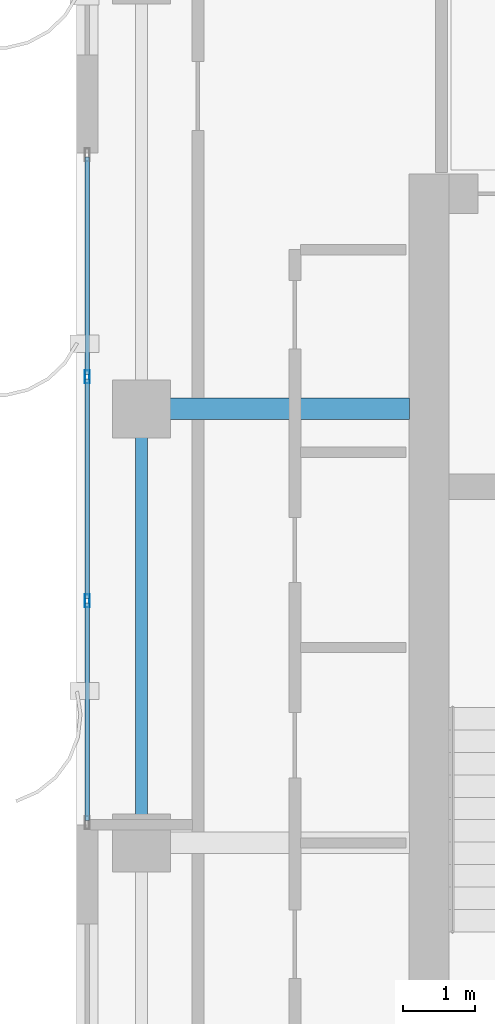
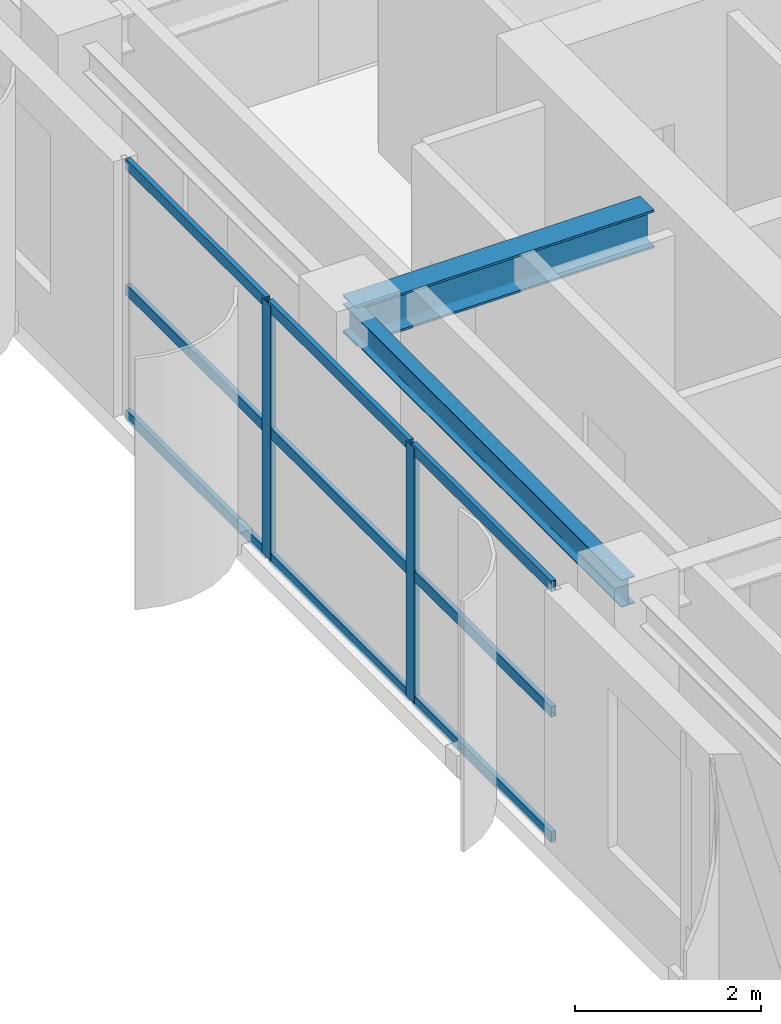
# One storey, part 6 of 24: 11 members, 2 beams, 1 element without a shape of its own.
"""IFC4 building model written with IfcOpenShell, lengths in metres."""

from ifc_helpers import new_model, si_unit, direction, frame, origin, origin_2d, place, context, subcontext, project, spatial, hollow_rectangle, i_section, extrude, source, transform, mapped, material, layer, layer_set, material_profile, profile_set, type_object, element, aggregate, save


model = new_model("IFC4")

# Units and contexts
model_context = context("Model", 3, precision=1e-05, world=origin(), true_north=direction((0.0, 1.0)))
body_context = subcontext(model_context, "Body", "Model", "MODEL_VIEW")
ifc_project = project(units=[si_unit("LENGTHUNIT", "METRE"), si_unit("AREAUNIT", "SQUARE_METRE"), si_unit("VOLUMEUNIT", "CUBIC_METRE"), si_unit("PLANEANGLEUNIT", "RADIAN"), si_unit("MASSUNIT", "GRAM", prefix="KILO")], contexts=[model_context])

# Site, building, storey
site_placement = place(None, origin())
site = spatial("IfcSite", under=ifc_project, at=site_placement, CompositionType="ELEMENT")
building_placement = place(site_placement, origin())
building = spatial("IfcBuilding", under=site, at=building_placement, Name="Khoralis Quay Care Tower", CompositionType="ELEMENT")
storey_placement = place(building_placement, frame((0.0, 0.0, 238.5)))
storey = spatial("IfcBuildingStorey", under=building, at=storey_placement, Name="L62", CompositionType="ELEMENT", Elevation=238.5)

# Beams
ifc_material_1 = material(Name="Steel S355", Category="steel")
ifc_material_profile_1 = material_profile(ifc_material_1, i_section(OverallWidth=0.169921875, OverallDepth=0.360107421875, WebThickness=0.008056640625, FlangeThickness=0.0126953125, FilletRadius=0.01806640625, at=origin_2d()), Name="Steel S355")
ifc_profile_set_1 = profile_set([ifc_material_profile_1], Name="Steel S355")
beam_type_1 = type_object("IfcBeamType", Name="BM-IPE360", PredefinedType="SPANDREL", material=ifc_profile_set_1)
shared_shape_1 = source(origin(), body_context, "Body", "SweptSolid", [
    extrude(i_section(OverallWidth=0.169921875, OverallDepth=0.360107421875, WebThickness=0.008056640625, FlangeThickness=0.0126953125, FilletRadius=0.01806640625, at=origin_2d()), origin(), (0.0, 0.0, 1.0), 6.0),
])
beam_1_placement = place(storey_placement, frame((3.89990234375, 18.0, 3.179931640625), z_axis=(0.0, 1.0, 0.0), x_axis=(-1.0, 0.0, 0.0)))
element("IfcBeam", 1, at=beam_1_placement, inside=storey, type_object=beam_type_1, Name="BM-TSP-L62-06", PredefinedType="SPANDREL", context=body_context, shape_type="MappedRepresentation", body=[
    mapped(shared_shape_1, transform((0.0, 0.0, 0.0), scale=1.0)),
])
ifc_material_profile_2 = material_profile(ifc_material_1, i_section(OverallWidth=0.300048828125, OverallDepth=0.5, WebThickness=0.014404296875, FlangeThickness=0.028076171875, FilletRadius=0.027099609375, at=origin_2d()), Name="Steel S355")
ifc_profile_set_2 = profile_set([ifc_material_profile_2], Name="Steel S355")
beam_type_2 = type_object("IfcBeamType", Name="BM-HEB500", PredefinedType="BEAM", material=ifc_profile_set_2)
shared_shape_2 = source(origin(), body_context, "Body", "SweptSolid", [
    extrude(i_section(OverallWidth=0.300048828125, OverallDepth=0.5, WebThickness=0.014404296875, FlangeThickness=0.028076171875, FilletRadius=0.027099609375, at=origin_2d()), origin(), (0.0, 0.0, 1.0), 3.7021484375),
])
beam_2_placement = place(storey_placement, frame((3.89990234375, 24.0, 3.110107421875), z_axis=(1.0, 0.0, 0.0), x_axis=(0.0, 1.0, 0.0)))
element("IfcBeam", 2, at=beam_2_placement, inside=storey, type_object=beam_type_2, Name="BM-TGXW-L62-240", PredefinedType="BEAM", context=body_context, shape_type="MappedRepresentation", body=[
    mapped(shared_shape_2, transform((0.0, 0.0, 0.0), scale=1.0)),
])

# Curtain wall, members
ifc_material_2 = material(Name="Pale anodised aluminium", Category="aluminium")
ifc_layer = layer(ifc_material_2, 0.159912109375)
ifc_layer_set = layer_set([ifc_layer], Name="Pale anodised aluminium")
curtain_wall_type = type_object("IfcCurtainWallType", Name="CW-SYS-Z3", PredefinedType="NOTDEFINED", material=ifc_layer_set)
curtain_wall_placement = place(storey_placement, origin())
curtain_wall = element("IfcCurtainWall", 3, at=curtain_wall_placement, inside=storey, type_object=curtain_wall_type, Name="L62 Unitised Curtain Wall CW-L62-P1-E7", PredefinedType="NOTDEFINED")
ifc_material_profile_3 = material_profile(ifc_material_2, hollow_rectangle(XDim=0.06494140625, YDim=0.179931640625, WallThickness=0.00390625, at=origin_2d()), Name="Pale anodised aluminium")
ifc_profile_set_3 = profile_set([ifc_material_profile_3], Name="Pale anodised aluminium")
member_type_1 = type_object("IfcMemberType", Name="CW-MUL-180", PredefinedType="MULLION", material=ifc_profile_set_3)
shared_shape_3 = source(origin(), body_context, "Body", "SweptSolid", [
    extrude(hollow_rectangle(XDim=0.06494140625, YDim=0.179931640625, WallThickness=0.00390625, at=origin_2d()), origin(), (0.0, 0.0, 1.0), 3.360107421875),
])
member_1_placement = place(storey_placement, frame((3.14990234375, 24.443359375, 0.0), z_axis=(0.0, 0.0, 1.0), x_axis=(1.0, 0.0, 0.0)))
member_1 = element("IfcMember", 4, at=member_1_placement, type_object=member_type_1, Name="CW3 mullion 2", PredefinedType="MULLION", context=body_context, shape_type="MappedRepresentation", body=[
    mapped(shared_shape_3, transform((0.0, 0.0, 0.0), scale=1.0)),
])
member_2_placement = place(storey_placement, frame((3.14990234375, 21.3466796875, 0.0), z_axis=(0.0, 0.0, 1.0), x_axis=(1.0, 0.0, 0.0)))
member_2 = element("IfcMember", 5, at=member_2_placement, type_object=member_type_1, Name="CW3 mullion 3", PredefinedType="MULLION", context=body_context, shape_type="MappedRepresentation", body=[
    mapped(shared_shape_3, transform((0.0, 0.0, 0.0), scale=1.0)),
])
ifc_material_profile_4 = material_profile(ifc_material_2, hollow_rectangle(XDim=0.06005859375, YDim=0.139892578125, WallThickness=0.00390625, at=origin_2d()), Name="Pale anodised aluminium")
ifc_profile_set_4 = profile_set([ifc_material_profile_4], Name="Pale anodised aluminium")
member_type_2 = type_object("IfcMemberType", Name="CW-TRN-140", PredefinedType="USERDEFINED", material=ifc_profile_set_4)
shared_shape_4 = source(origin(), body_context, "Body", "SweptSolid", [
    extrude(hollow_rectangle(XDim=0.06005859375, YDim=0.139892578125, WallThickness=0.00390625, at=origin_2d()), origin(), (0.0, 0.0, 1.0), 3.006591796875),
])
member_3_placement = place(storey_placement, frame((3.14990234375, 27.47998046875, 0.030029296875), z_axis=(0.0, -1.0, 0.0), x_axis=(1.0, 0.0, 0.0)))
member_3 = element("IfcMember", 6, at=member_3_placement, type_object=member_type_2, Name="CW3 transom 1.1", ObjectType="TRANSOM", PredefinedType="USERDEFINED", context=body_context, shape_type="MappedRepresentation", body=[
    mapped(shared_shape_4, transform((0.0, 0.0, 0.0), scale=1.0)),
])
member_4_placement = place(storey_placement, frame((3.14990234375, 27.47998046875, 1.679931640625), z_axis=(0.0, -1.0, 0.0), x_axis=(1.0, 0.0, 0.0)))
member_4 = element("IfcMember", 7, at=member_4_placement, type_object=member_type_2, Name="CW3 transom 1.2", ObjectType="TRANSOM", PredefinedType="USERDEFINED", context=body_context, shape_type="MappedRepresentation", body=[
    mapped(shared_shape_4, transform((0.0, 0.0, 0.0), scale=1.0)),
])
member_5_placement = place(storey_placement, frame((3.14990234375, 27.47998046875, 3.330078125), z_axis=(0.0, -1.0, 0.0), x_axis=(1.0, 0.0, 0.0)))
member_5 = element("IfcMember", 8, at=member_5_placement, type_object=member_type_2, Name="CW3 transom 1.3", ObjectType="TRANSOM", PredefinedType="USERDEFINED", context=body_context, shape_type="MappedRepresentation", body=[
    mapped(shared_shape_4, transform((0.0, 0.0, 0.0), scale=1.0)),
])
member_6_placement = place(storey_placement, frame((3.14990234375, 21.316650390625, 0.030029296875), z_axis=(0.0, -1.0, 0.0), x_axis=(1.0, 0.0, 0.0)))
member_6 = element("IfcMember", 9, at=member_6_placement, type_object=member_type_2, Name="CW3 transom 3.1", ObjectType="TRANSOM", PredefinedType="USERDEFINED", context=body_context, shape_type="MappedRepresentation", body=[
    mapped(shared_shape_4, transform((0.0, 0.0, 0.0), scale=1.0)),
])
member_7_placement = place(storey_placement, frame((3.14990234375, 21.316650390625, 1.679931640625), z_axis=(0.0, -1.0, 0.0), x_axis=(1.0, 0.0, 0.0)))
member_7 = element("IfcMember", 10, at=member_7_placement, type_object=member_type_2, Name="CW3 transom 3.2", ObjectType="TRANSOM", PredefinedType="USERDEFINED", context=body_context, shape_type="MappedRepresentation", body=[
    mapped(shared_shape_4, transform((0.0, 0.0, 0.0), scale=1.0)),
])
member_8_placement = place(storey_placement, frame((3.14990234375, 21.316650390625, 3.330078125), z_axis=(0.0, -1.0, 0.0), x_axis=(1.0, 0.0, 0.0)))
member_8 = element("IfcMember", 11, at=member_8_placement, type_object=member_type_2, Name="CW3 transom 3.3", ObjectType="TRANSOM", PredefinedType="USERDEFINED", context=body_context, shape_type="MappedRepresentation", body=[
    mapped(shared_shape_4, transform((0.0, 0.0, 0.0), scale=1.0)),
])
shared_shape_5 = source(origin(), body_context, "Body", "SweptSolid", [
    extrude(hollow_rectangle(XDim=0.06005859375, YDim=0.139892578125, WallThickness=0.00390625, at=origin_2d()), origin(), (0.0, 0.0, 1.0), 3.03662109375),
])
member_9_placement = place(storey_placement, frame((3.14990234375, 24.413330078125, 0.030029296875), z_axis=(0.0, -1.0, 0.0), x_axis=(1.0, 0.0, 0.0)))
member_9 = element("IfcMember", 12, at=member_9_placement, type_object=member_type_2, Name="CW3 transom 2.1", ObjectType="TRANSOM", PredefinedType="USERDEFINED", context=body_context, shape_type="MappedRepresentation", body=[
    mapped(shared_shape_5, transform((0.0, 0.0, 0.0), scale=1.0)),
])
member_10_placement = place(storey_placement, frame((3.14990234375, 24.413330078125, 1.679931640625), z_axis=(0.0, -1.0, 0.0), x_axis=(1.0, 0.0, 0.0)))
member_10 = element("IfcMember", 13, at=member_10_placement, type_object=member_type_2, Name="CW3 transom 2.2", ObjectType="TRANSOM", PredefinedType="USERDEFINED", context=body_context, shape_type="MappedRepresentation", body=[
    mapped(shared_shape_5, transform((0.0, 0.0, 0.0), scale=1.0)),
])
member_11_placement = place(storey_placement, frame((3.14990234375, 24.413330078125, 3.330078125), z_axis=(0.0, -1.0, 0.0), x_axis=(1.0, 0.0, 0.0)))
member_11 = element("IfcMember", 14, at=member_11_placement, type_object=member_type_2, Name="CW3 transom 2.3", ObjectType="TRANSOM", PredefinedType="USERDEFINED", context=body_context, shape_type="MappedRepresentation", body=[
    mapped(shared_shape_5, transform((0.0, 0.0, 0.0), scale=1.0)),
])
aggregate(curtain_wall, [member_1, member_2, member_3, member_4, member_5, member_9, member_10, member_11, member_6, member_7, member_8])

save(model, "model.ifc")
